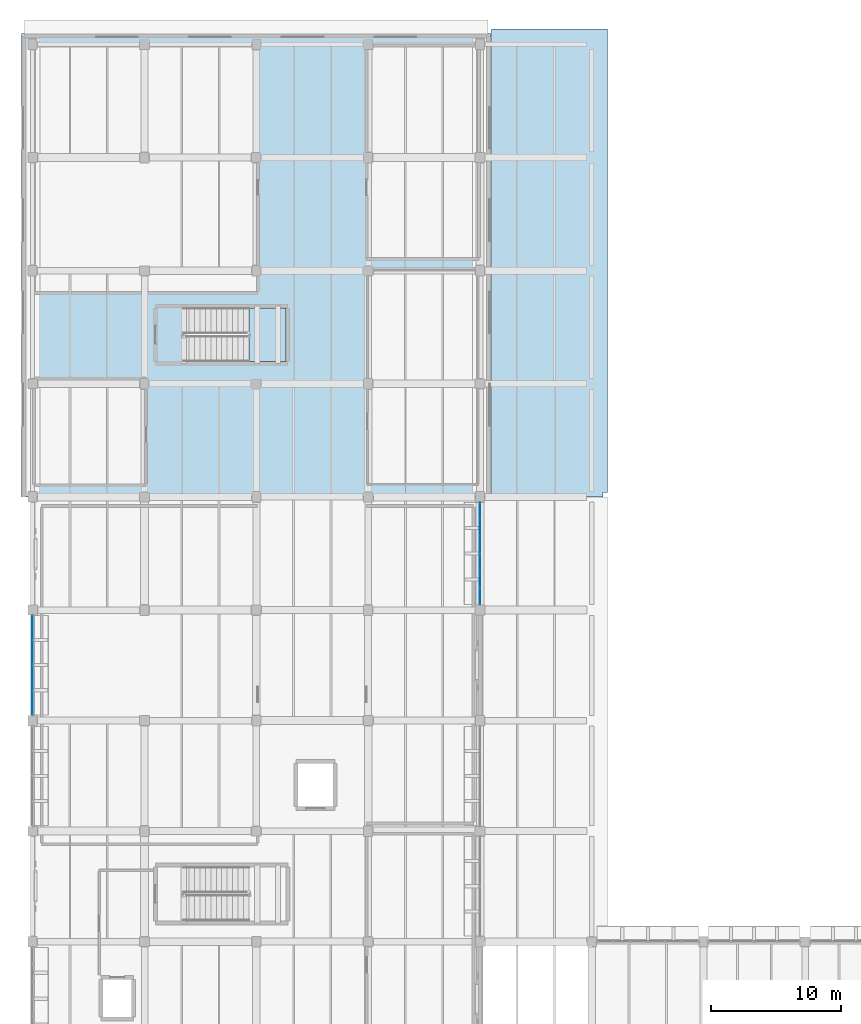
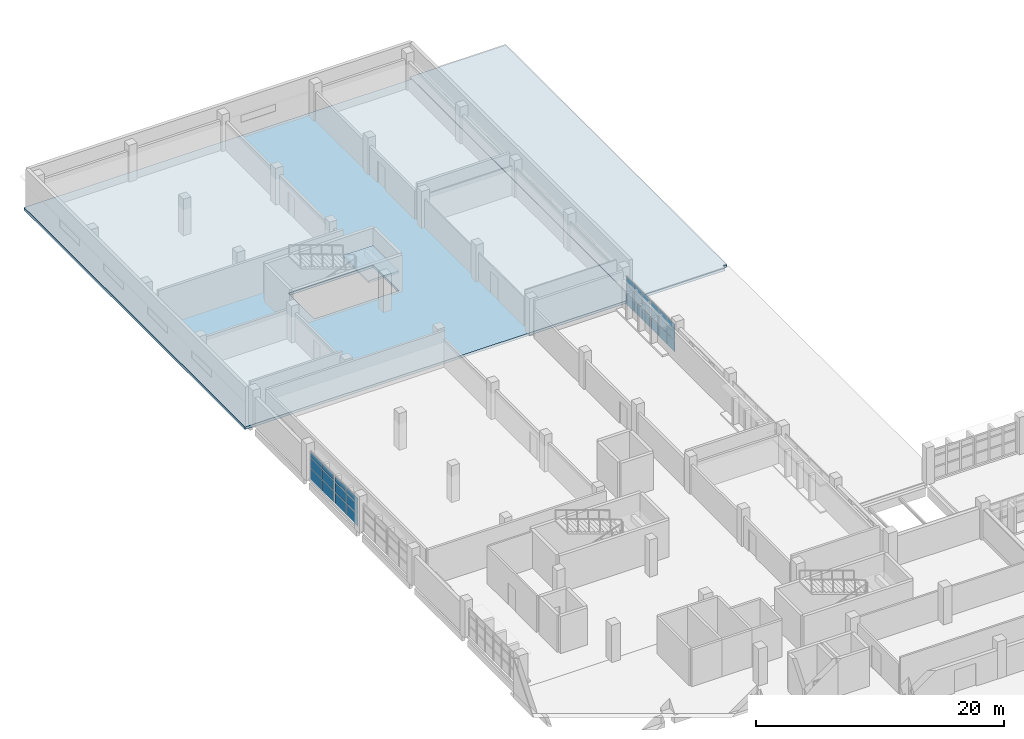
# One storey, part 55 of 80: 30 plates, 3 slabs, 5 elements without a shape of their own.
"""IFC4 building model written with IfcOpenShell, lengths in metres."""

from ifc_helpers import new_model, si_unit, direction, frame, origin, origin_2d, place, context, subcontext, project, spatial, polyline, rectangle, outline, extrude, material, layer, layer_set, type_object, element, aggregate, save


model = new_model("IFC4")

# Units and contexts
model_context = context("Model", 3, precision=1e-05, world=origin(), true_north=direction((0.0, 1.0)))
body_context = subcontext(model_context, "Body", "Model", "MODEL_VIEW")
ifc_project = project(units=[si_unit("LENGTHUNIT", "METRE"), si_unit("AREAUNIT", "SQUARE_METRE"), si_unit("VOLUMEUNIT", "CUBIC_METRE"), si_unit("PLANEANGLEUNIT", "RADIAN"), si_unit("MASSUNIT", "GRAM", prefix="KILO")], contexts=[model_context])

# Site, building, storey
site_placement = place(None, origin())
site = spatial("IfcSite", under=ifc_project, at=site_placement, CompositionType="ELEMENT")
building_placement = place(site_placement, origin())
building = spatial("IfcBuilding", under=site, at=building_placement, Name="Varnakota Cinema and Media Centre", CompositionType="ELEMENT")
storey_placement = place(building_placement, frame((0.0, 0.0, 4.5)))
storey = spatial("IfcBuildingStorey", under=building, at=storey_placement, Name="L01", CompositionType="ELEMENT", Elevation=4.5)

# Curtain wall, plates
ifc_material_1 = material(Name="Thermally broken anodised aluminium AW-6063", Category="aluminium")
curtain_wall_type_1 = type_object("IfcCurtainWallType", Name="CW-STD-394x284", PredefinedType="USERDEFINED", material=ifc_material_1)
curtain_wall_1_placement = place(storey_placement, origin())
curtain_wall_1 = element("IfcCurtainWall", 1, at=curtain_wall_1_placement, inside=storey, type_object=curtain_wall_type_1, Name="L01 curtain wall CW-L01-V5-E-05-1", ObjectType="UNITISED CURTAIN WALL", PredefinedType="USERDEFINED")
ifc_material_2 = material(Name="Laminated solar-control double glazing", Category="glass")
ifc_layer_1 = layer(ifc_material_2, 0.028076171875)
ifc_layer_set_1 = layer_set([ifc_layer_1], Name="Laminated solar-control double glazing")
plate_type = type_object("IfcPlateType", Name="CWP-DGU-28", PredefinedType="CURTAIN_PANEL", material=ifc_layer_set_1)
plate_1_placement = place(storey_placement, frame((34.39990234375, 70.54833984375, 0.06494140625), z_axis=(0.0, 0.0, 1.0), x_axis=(0.0, 1.0, 0.0)))
plate_1 = element("IfcPlate", 2, at=plate_1_placement, type_object=plate_type, Name="CW27 panel 1.1", PredefinedType="CURTAIN_PANEL", context=body_context, shape_type="SweptSolid", body=[
    extrude(rectangle(XDim=1.216552734375, YDim=0.028076171875, at=origin_2d()), origin(), (0.0, 0.0, 1.0), 1.09326171875),
])
plate_2_placement = place(storey_placement, frame((34.39990234375, 70.54833984375, 1.22314453125), z_axis=(0.0, 0.0, 1.0), x_axis=(0.0, 1.0, 0.0)))
plate_2 = element("IfcPlate", 3, at=plate_2_placement, type_object=plate_type, Name="CW27 panel 1.2", PredefinedType="CURTAIN_PANEL", context=body_context, shape_type="SweptSolid", body=[
    extrude(rectangle(XDim=1.216552734375, YDim=0.028076171875, at=origin_2d()), origin(), (0.0, 0.0, 1.0), 0.95556640625),
])
plate_3_placement = place(storey_placement, frame((34.39990234375, 70.54833984375, 2.24365234375), z_axis=(0.0, 0.0, 1.0), x_axis=(0.0, 1.0, 0.0)))
plate_3 = element("IfcPlate", 4, at=plate_3_placement, type_object=plate_type, Name="CW27 panel 1.3", PredefinedType="CURTAIN_PANEL", context=body_context, shape_type="SweptSolid", body=[
    extrude(rectangle(XDim=1.216552734375, YDim=0.028076171875, at=origin_2d()), origin(), (0.0, 0.0, 1.0), 0.526123046875),
])
plate_4_placement = place(storey_placement, frame((34.39990234375, 71.84619140625, 0.06494140625), z_axis=(0.0, 0.0, 1.0), x_axis=(0.0, 1.0, 0.0)))
plate_4 = element("IfcPlate", 5, at=plate_4_placement, type_object=plate_type, Name="CW27 panel 2.1", PredefinedType="CURTAIN_PANEL", context=body_context, shape_type="SweptSolid", body=[
    extrude(rectangle(XDim=1.249267578125, YDim=0.028076171875, at=origin_2d()), origin(), (0.0, 0.0, 1.0), 1.09326171875),
])
plate_5_placement = place(storey_placement, frame((34.39990234375, 71.84619140625, 1.22314453125), z_axis=(0.0, 0.0, 1.0), x_axis=(0.0, 1.0, 0.0)))
plate_5 = element("IfcPlate", 6, at=plate_5_placement, type_object=plate_type, Name="CW27 panel 2.2", PredefinedType="CURTAIN_PANEL", context=body_context, shape_type="SweptSolid", body=[
    extrude(rectangle(XDim=1.249267578125, YDim=0.028076171875, at=origin_2d()), origin(), (0.0, 0.0, 1.0), 0.95556640625),
])
plate_6_placement = place(storey_placement, frame((34.39990234375, 71.84619140625, 2.24365234375), z_axis=(0.0, 0.0, 1.0), x_axis=(0.0, 1.0, 0.0)))
plate_6 = element("IfcPlate", 7, at=plate_6_placement, type_object=plate_type, Name="CW27 panel 2.3", PredefinedType="CURTAIN_PANEL", context=body_context, shape_type="SweptSolid", body=[
    extrude(rectangle(XDim=1.249267578125, YDim=0.028076171875, at=origin_2d()), origin(), (0.0, 0.0, 1.0), 0.526123046875),
])
plate_7_placement = place(storey_placement, frame((34.39990234375, 73.144287109375, 0.06494140625), z_axis=(0.0, 0.0, 1.0), x_axis=(0.0, 1.0, 0.0)))
plate_7 = element("IfcPlate", 8, at=plate_7_placement, type_object=plate_type, Name="CW27 panel 3.1", PredefinedType="CURTAIN_PANEL", context=body_context, shape_type="SweptSolid", body=[
    extrude(rectangle(XDim=1.216552734375, YDim=0.028076171875, at=origin_2d()), origin(), (0.0, 0.0, 1.0), 1.09326171875),
])
plate_8_placement = place(storey_placement, frame((34.39990234375, 73.144287109375, 1.22314453125), z_axis=(0.0, 0.0, 1.0), x_axis=(0.0, 1.0, 0.0)))
plate_8 = element("IfcPlate", 9, at=plate_8_placement, type_object=plate_type, Name="CW27 panel 3.2", PredefinedType="CURTAIN_PANEL", context=body_context, shape_type="SweptSolid", body=[
    extrude(rectangle(XDim=1.216552734375, YDim=0.028076171875, at=origin_2d()), origin(), (0.0, 0.0, 1.0), 0.95556640625),
])
plate_9_placement = place(storey_placement, frame((34.39990234375, 73.144287109375, 2.24365234375), z_axis=(0.0, 0.0, 1.0), x_axis=(0.0, 1.0, 0.0)))
plate_9 = element("IfcPlate", 10, at=plate_9_placement, type_object=plate_type, Name="CW27 panel 3.3", PredefinedType="CURTAIN_PANEL", context=body_context, shape_type="SweptSolid", body=[
    extrude(rectangle(XDim=1.216552734375, YDim=0.028076171875, at=origin_2d()), origin(), (0.0, 0.0, 1.0), 0.526123046875),
])
aggregate(curtain_wall_1, [plate_1, plate_2, plate_3, plate_4, plate_5, plate_6, plate_7, plate_8, plate_9])

curtain_wall_2_placement = place(storey_placement, origin())
curtain_wall_2 = element("IfcCurtainWall", 11, at=curtain_wall_2_placement, inside=storey, type_object=curtain_wall_type_1, Name="L01 curtain wall CW-L01-V5-E-05-2", ObjectType="UNITISED CURTAIN WALL", PredefinedType="USERDEFINED")
plate_10_placement = place(storey_placement, frame((34.39990234375, 74.53076171875, 0.06494140625), z_axis=(0.0, 0.0, 1.0), x_axis=(0.0, 1.0, 0.0)))
plate_10 = element("IfcPlate", 12, at=plate_10_placement, type_object=plate_type, Name="CW27 panel 1.1", PredefinedType="CURTAIN_PANEL", context=body_context, shape_type="SweptSolid", body=[
    extrude(rectangle(XDim=1.216552734375, YDim=0.028076171875, at=origin_2d()), origin(), (0.0, 0.0, 1.0), 1.09326171875),
])
plate_11_placement = place(storey_placement, frame((34.39990234375, 74.53076171875, 1.22314453125), z_axis=(0.0, 0.0, 1.0), x_axis=(0.0, 1.0, 0.0)))
plate_11 = element("IfcPlate", 13, at=plate_11_placement, type_object=plate_type, Name="CW27 panel 1.2", PredefinedType="CURTAIN_PANEL", context=body_context, shape_type="SweptSolid", body=[
    extrude(rectangle(XDim=1.216552734375, YDim=0.028076171875, at=origin_2d()), origin(), (0.0, 0.0, 1.0), 0.95556640625),
])
plate_12_placement = place(storey_placement, frame((34.39990234375, 74.53076171875, 2.24365234375), z_axis=(0.0, 0.0, 1.0), x_axis=(0.0, 1.0, 0.0)))
plate_12 = element("IfcPlate", 14, at=plate_12_placement, type_object=plate_type, Name="CW27 panel 1.3", PredefinedType="CURTAIN_PANEL", context=body_context, shape_type="SweptSolid", body=[
    extrude(rectangle(XDim=1.216552734375, YDim=0.028076171875, at=origin_2d()), origin(), (0.0, 0.0, 1.0), 0.526123046875),
])
plate_13_placement = place(storey_placement, frame((34.39990234375, 75.828857421875, 0.06494140625), z_axis=(0.0, 0.0, 1.0), x_axis=(0.0, 1.0, 0.0)))
plate_13 = element("IfcPlate", 15, at=plate_13_placement, type_object=plate_type, Name="CW27 panel 2.1", PredefinedType="CURTAIN_PANEL", context=body_context, shape_type="SweptSolid", body=[
    extrude(rectangle(XDim=1.249267578125, YDim=0.028076171875, at=origin_2d()), origin(), (0.0, 0.0, 1.0), 1.09326171875),
])
plate_14_placement = place(storey_placement, frame((34.39990234375, 75.828857421875, 1.22314453125), z_axis=(0.0, 0.0, 1.0), x_axis=(0.0, 1.0, 0.0)))
plate_14 = element("IfcPlate", 16, at=plate_14_placement, type_object=plate_type, Name="CW27 panel 2.2", PredefinedType="CURTAIN_PANEL", context=body_context, shape_type="SweptSolid", body=[
    extrude(rectangle(XDim=1.249267578125, YDim=0.028076171875, at=origin_2d()), origin(), (0.0, 0.0, 1.0), 0.95556640625),
])
plate_15_placement = place(storey_placement, frame((34.39990234375, 75.828857421875, 2.24365234375), z_axis=(0.0, 0.0, 1.0), x_axis=(0.0, 1.0, 0.0)))
plate_15 = element("IfcPlate", 17, at=plate_15_placement, type_object=plate_type, Name="CW27 panel 2.3", PredefinedType="CURTAIN_PANEL", context=body_context, shape_type="SweptSolid", body=[
    extrude(rectangle(XDim=1.249267578125, YDim=0.028076171875, at=origin_2d()), origin(), (0.0, 0.0, 1.0), 0.526123046875),
])
plate_16_placement = place(storey_placement, frame((34.39990234375, 77.126708984375, 0.06494140625), z_axis=(0.0, 0.0, 1.0), x_axis=(0.0, 1.0, 0.0)))
plate_16 = element("IfcPlate", 18, at=plate_16_placement, type_object=plate_type, Name="CW27 panel 3.1", PredefinedType="CURTAIN_PANEL", context=body_context, shape_type="SweptSolid", body=[
    extrude(rectangle(XDim=1.216552734375, YDim=0.028076171875, at=origin_2d()), origin(), (0.0, 0.0, 1.0), 1.09326171875),
])
plate_17_placement = place(storey_placement, frame((34.39990234375, 77.126708984375, 1.22314453125), z_axis=(0.0, 0.0, 1.0), x_axis=(0.0, 1.0, 0.0)))
plate_17 = element("IfcPlate", 19, at=plate_17_placement, type_object=plate_type, Name="CW27 panel 3.2", PredefinedType="CURTAIN_PANEL", context=body_context, shape_type="SweptSolid", body=[
    extrude(rectangle(XDim=1.216552734375, YDim=0.028076171875, at=origin_2d()), origin(), (0.0, 0.0, 1.0), 0.95556640625),
])
plate_18_placement = place(storey_placement, frame((34.39990234375, 77.126708984375, 2.24365234375), z_axis=(0.0, 0.0, 1.0), x_axis=(0.0, 1.0, 0.0)))
plate_18 = element("IfcPlate", 20, at=plate_18_placement, type_object=plate_type, Name="CW27 panel 3.3", PredefinedType="CURTAIN_PANEL", context=body_context, shape_type="SweptSolid", body=[
    extrude(rectangle(XDim=1.216552734375, YDim=0.028076171875, at=origin_2d()), origin(), (0.0, 0.0, 1.0), 0.526123046875),
])
aggregate(curtain_wall_2, [plate_10, plate_11, plate_12, plate_13, plate_14, plate_15, plate_16, plate_17, plate_18])

ifc_material_3 = material(Name="Thermally broken anodised aluminium AW-6063", Category="aluminium")
curtain_wall_type_2 = type_object("IfcCurtainWallType", Name="CW-STD-384x288", PredefinedType="USERDEFINED", material=ifc_material_3)
curtain_wall_3_placement = place(storey_placement, origin())
curtain_wall_3 = element("IfcCurtainWall", 21, at=curtain_wall_3_placement, inside=storey, type_object=curtain_wall_type_2, Name="L01 curtain wall CW-L01-V5-W-02-1", ObjectType="UNITISED CURTAIN WALL", PredefinedType="USERDEFINED")
plate_19_placement = place(storey_placement, frame((0.0, 68.148193359375, 0.06494140625), z_axis=(0.0, 0.0, 1.0), x_axis=(0.0, -1.0, 0.0)))
plate_19 = element("IfcPlate", 22, at=plate_19_placement, type_object=plate_type, Name="CW26 panel 1.1", PredefinedType="CURTAIN_PANEL", context=body_context, shape_type="SweptSolid", body=[
    extrude(rectangle(XDim=1.82373046875, YDim=0.028076171875, at=origin_2d()), origin(), (0.0, 0.0, 1.0), 1.1142578125),
])
plate_20_placement = place(storey_placement, frame((0.0, 68.148193359375, 1.244140625), z_axis=(0.0, 0.0, 1.0), x_axis=(0.0, -1.0, 0.0)))
plate_20 = element("IfcPlate", 23, at=plate_20_placement, type_object=plate_type, Name="CW26 panel 1.2", PredefinedType="CURTAIN_PANEL", context=body_context, shape_type="SweptSolid", body=[
    extrude(rectangle(XDim=1.82373046875, YDim=0.028076171875, at=origin_2d()), origin(), (0.0, 0.0, 1.0), 0.9736328125),
])
plate_21_placement = place(storey_placement, frame((0.0, 68.148193359375, 2.282958984375), z_axis=(0.0, 0.0, 1.0), x_axis=(0.0, -1.0, 0.0)))
plate_21 = element("IfcPlate", 24, at=plate_21_placement, type_object=plate_type, Name="CW26 panel 1.3", PredefinedType="CURTAIN_PANEL", context=body_context, shape_type="SweptSolid", body=[
    extrude(rectangle(XDim=1.82373046875, YDim=0.028076171875, at=origin_2d()), origin(), (0.0, 0.0, 1.0), 0.537109375),
])
plate_22_placement = place(storey_placement, frame((0.0, 66.25927734375, 0.06494140625), z_axis=(0.0, 0.0, 1.0), x_axis=(0.0, -1.0, 0.0)))
plate_22 = element("IfcPlate", 25, at=plate_22_placement, type_object=plate_type, Name="CW26 panel 2.1", PredefinedType="CURTAIN_PANEL", context=body_context, shape_type="SweptSolid", body=[
    extrude(rectangle(XDim=1.82373046875, YDim=0.028076171875, at=origin_2d()), origin(), (0.0, 0.0, 1.0), 1.1142578125),
])
plate_23_placement = place(storey_placement, frame((0.0, 66.25927734375, 1.244140625), z_axis=(0.0, 0.0, 1.0), x_axis=(0.0, -1.0, 0.0)))
plate_23 = element("IfcPlate", 26, at=plate_23_placement, type_object=plate_type, Name="CW26 panel 2.2", PredefinedType="CURTAIN_PANEL", context=body_context, shape_type="SweptSolid", body=[
    extrude(rectangle(XDim=1.82373046875, YDim=0.028076171875, at=origin_2d()), origin(), (0.0, 0.0, 1.0), 0.9736328125),
])
plate_24_placement = place(storey_placement, frame((0.0, 66.25927734375, 2.282958984375), z_axis=(0.0, 0.0, 1.0), x_axis=(0.0, -1.0, 0.0)))
plate_24 = element("IfcPlate", 27, at=plate_24_placement, type_object=plate_type, Name="CW26 panel 2.3", PredefinedType="CURTAIN_PANEL", context=body_context, shape_type="SweptSolid", body=[
    extrude(rectangle(XDim=1.82373046875, YDim=0.028076171875, at=origin_2d()), origin(), (0.0, 0.0, 1.0), 0.537109375),
])
aggregate(curtain_wall_3, [plate_19, plate_20, plate_21, plate_22, plate_23, plate_24])

curtain_wall_4_placement = place(storey_placement, origin())
curtain_wall_4 = element("IfcCurtainWall", 28, at=curtain_wall_4_placement, inside=storey, type_object=curtain_wall_type_2, Name="L01 curtain wall CW-L01-V5-W-02-2", ObjectType="UNITISED CURTAIN WALL", PredefinedType="USERDEFINED")
plate_25_placement = place(storey_placement, frame((0.0, 64.265625, 0.06494140625), z_axis=(0.0, 0.0, 1.0), x_axis=(0.0, -1.0, 0.0)))
plate_25 = element("IfcPlate", 29, at=plate_25_placement, type_object=plate_type, Name="CW26 panel 1.1", PredefinedType="CURTAIN_PANEL", context=body_context, shape_type="SweptSolid", body=[
    extrude(rectangle(XDim=1.82373046875, YDim=0.028076171875, at=origin_2d()), origin(), (0.0, 0.0, 1.0), 1.1142578125),
])
plate_26_placement = place(storey_placement, frame((0.0, 64.265625, 1.244140625), z_axis=(0.0, 0.0, 1.0), x_axis=(0.0, -1.0, 0.0)))
plate_26 = element("IfcPlate", 30, at=plate_26_placement, type_object=plate_type, Name="CW26 panel 1.2", PredefinedType="CURTAIN_PANEL", context=body_context, shape_type="SweptSolid", body=[
    extrude(rectangle(XDim=1.82373046875, YDim=0.028076171875, at=origin_2d()), origin(), (0.0, 0.0, 1.0), 0.9736328125),
])
plate_27_placement = place(storey_placement, frame((0.0, 64.265625, 2.282958984375), z_axis=(0.0, 0.0, 1.0), x_axis=(0.0, -1.0, 0.0)))
plate_27 = element("IfcPlate", 31, at=plate_27_placement, type_object=plate_type, Name="CW26 panel 1.3", PredefinedType="CURTAIN_PANEL", context=body_context, shape_type="SweptSolid", body=[
    extrude(rectangle(XDim=1.82373046875, YDim=0.028076171875, at=origin_2d()), origin(), (0.0, 0.0, 1.0), 0.537109375),
])
plate_28_placement = place(storey_placement, frame((0.0, 62.376953125, 0.06494140625), z_axis=(0.0, 0.0, 1.0), x_axis=(0.0, -1.0, 0.0)))
plate_28 = element("IfcPlate", 32, at=plate_28_placement, type_object=plate_type, Name="CW26 panel 2.1", PredefinedType="CURTAIN_PANEL", context=body_context, shape_type="SweptSolid", body=[
    extrude(rectangle(XDim=1.82373046875, YDim=0.028076171875, at=origin_2d()), origin(), (0.0, 0.0, 1.0), 1.1142578125),
])
plate_29_placement = place(storey_placement, frame((0.0, 62.376953125, 1.244140625), z_axis=(0.0, 0.0, 1.0), x_axis=(0.0, -1.0, 0.0)))
plate_29 = element("IfcPlate", 33, at=plate_29_placement, type_object=plate_type, Name="CW26 panel 2.2", PredefinedType="CURTAIN_PANEL", context=body_context, shape_type="SweptSolid", body=[
    extrude(rectangle(XDim=1.82373046875, YDim=0.028076171875, at=origin_2d()), origin(), (0.0, 0.0, 1.0), 0.9736328125),
])
plate_30_placement = place(storey_placement, frame((0.0, 62.376953125, 2.282958984375), z_axis=(0.0, 0.0, 1.0), x_axis=(0.0, -1.0, 0.0)))
plate_30 = element("IfcPlate", 34, at=plate_30_placement, type_object=plate_type, Name="CW26 panel 2.3", PredefinedType="CURTAIN_PANEL", context=body_context, shape_type="SweptSolid", body=[
    extrude(rectangle(XDim=1.82373046875, YDim=0.028076171875, at=origin_2d()), origin(), (0.0, 0.0, 1.0), 0.537109375),
])
aggregate(curtain_wall_4, [plate_25, plate_26, plate_27, plate_28, plate_29, plate_30])

# Slab
ifc_material_4 = material(Name="Concrete M35", Category="concrete")
ifc_layer_2 = layer(ifc_material_4, 0.25)
ifc_layer_set_2 = layer_set([ifc_layer_2], Name="Concrete M35")
slab_type_1 = type_object("IfcSlabType", Name="SLB-FLR-250", PredefinedType="FLOOR", material=ifc_layer_set_2)
slab_1_placement = place(storey_placement, frame((0.0, 0.0, -0.25)))
element("IfcSlab", 35, at=slab_1_placement, inside=storey, type_object=slab_type_1, Name="L01 V7 floor slab", PredefinedType="FLOOR", context=body_context, shape_type="SweptSolid", body=[
    extrude(outline(polyline([(-0.85009765625, 78.199951171875), (35.25, 78.199951171875), (35.25, 113.85009765625), (-0.85009765625, 113.85009765625), (-0.85009765625, 78.199951171875)]), holes=[polyline([(11.60009765625, 88.60009765625), (19.47998046875, 88.60009765625), (19.47998046875, 92.75), (11.60009765625, 92.75), (11.60009765625, 88.60009765625)])]), origin(), (0.0, 0.0, 1.0), 0.25),
])

# Stair, slab
ifc_material_5 = material(Name="Concrete M35", Category="concrete")
stair_type = type_object("IfcStairType", Name="STR-CORE-ST-05-2000", PredefinedType="HALF_TURN_STAIR", material=ifc_material_5)
stair_placement = place(storey_placement, origin())
stair = element("IfcStair", 36, at=stair_placement, inside=storey, type_object=stair_type, Name="L01 North Editing Escape Stair 5", PredefinedType="HALF_TURN_STAIR")
ifc_material_6 = material(Name="Concrete M35", Category="concrete")
ifc_layer_3 = layer(ifc_material_6, 0.199951171875)
ifc_layer_set_3 = layer_set([ifc_layer_3], Name="Concrete M35")
slab_type_2 = type_object("IfcSlabType", Name="SLB-LAND-ST-05", PredefinedType="LANDING", material=ifc_layer_set_3)
slab_2_placement = place(storey_placement, frame((0.0, 0.0, 1.75)))
slab_2 = element("IfcSlab", 37, at=slab_2_placement, type_object=slab_type_2, Name="ST-05 landing 1", PredefinedType="LANDING", context=body_context, shape_type="SweptSolid", body=[
    extrude(outline(polyline([(16.639892578125, 88.60009765625), (19.47998046875, 88.60009765625), (19.47998046875, 92.75), (16.639892578125, 92.75), (16.639892578125, 88.60009765625)])), origin(), (0.0, 0.0, 1.0), 0.199951171875),
])
aggregate(stair, [slab_2])

# Slab
ifc_material_7 = material(Name="Concrete M35", Category="concrete")
ifc_layer_4 = layer(ifc_material_7, 0.25)
ifc_layer_set_4 = layer_set([ifc_layer_4], Name="Concrete M35")
slab_type_3 = type_object("IfcSlabType", Name="SLB-ROOF-250", PredefinedType="ROOF", material=ifc_layer_set_4)
slab_3_placement = place(storey_placement, frame((0.0, 0.0, -0.25)))
element("IfcSlab", 38, at=slab_3_placement, inside=storey, type_object=slab_type_3, Name="L01 overhanging cool roof ROOF-V7-EAST", PredefinedType="ROOF", context=body_context, shape_type="SweptSolid", body=[
    extrude(outline(polyline([(35.27001953125, 78.199951171875), (43.85009765625, 78.199951171875), (43.85009765625, 78.550048828125), (44.199951171875, 78.550048828125), (44.199951171875, 114.199951171875), (35.27001953125, 114.199951171875), (35.27001953125, 78.199951171875)])), origin(), (0.0, 0.0, 1.0), 0.25),
])

save(model, "model.ifc")
